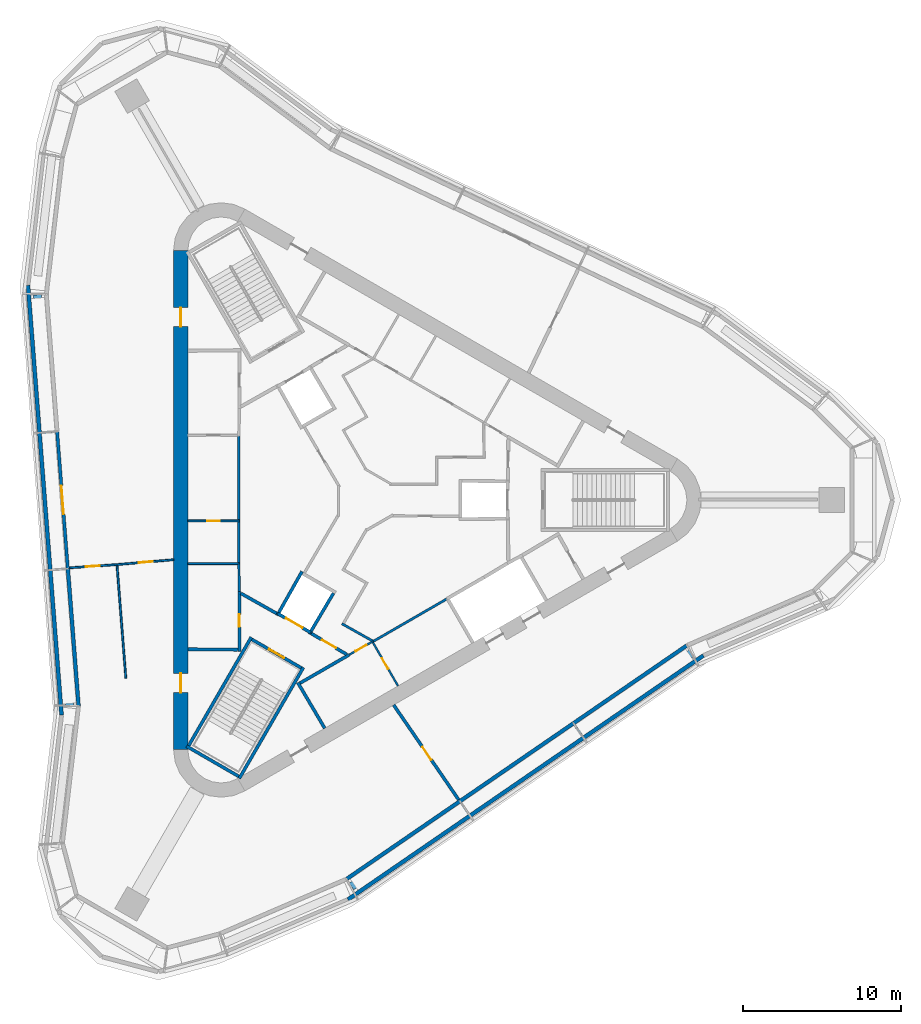
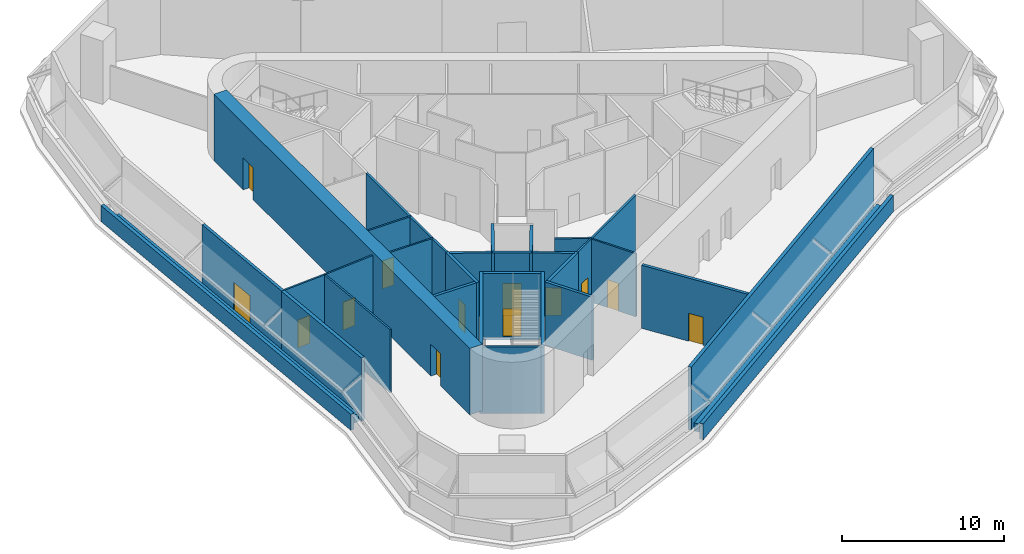
# One storey, part 4 of 8: 33 walls, 13 doors, 13 openings.
"""IFC4 building model written with IfcOpenShell, lengths in metres."""

from ifc_helpers import new_model, si_unit, direction, frame, frame_2d, origin, place, context, subcontext, project, spatial, rectangle, extrude, material, layer, layer_set, type_object, element, fill, save


model = new_model("IFC4")

# Units and contexts
model_context = context("Model", 3, precision=1e-05, world=origin(), true_north=direction((0.0, 1.0)))
body_context = subcontext(model_context, "Body", "Model", "MODEL_VIEW")
ifc_project = project(units=[si_unit("LENGTHUNIT", "METRE"), si_unit("AREAUNIT", "SQUARE_METRE"), si_unit("VOLUMEUNIT", "CUBIC_METRE"), si_unit("PLANEANGLEUNIT", "RADIAN"), si_unit("MASSUNIT", "GRAM", prefix="KILO")], contexts=[model_context])

# Site, building, storey
site_placement = place(None, origin())
site = spatial("IfcSite", under=ifc_project, at=site_placement, CompositionType="ELEMENT")
building_placement = place(site_placement, origin())
building = spatial("IfcBuilding", under=site, at=building_placement, Name="Tanit Gate Tower", CompositionType="ELEMENT")
storey_placement = place(building_placement, frame((0.0, 0.0, 410.300048828125)))
storey = spatial("IfcBuildingStorey", under=building, at=storey_placement, Name="L93", CompositionType="ELEMENT", Elevation=410.300048828125)

# Wall, openings, doors
ifc_material_1 = material(Name="Concrete C40/50", Category="concrete")
ifc_layer_1 = layer(ifc_material_1, 0.89990234375)
ifc_layer_set_1 = layer_set([ifc_layer_1], Name="CORE WALL 900 C40/50")
wall_type_1 = type_object("IfcWallType", Name="CORE WALL 900 C40/50", PredefinedType="SHEAR", material=ifc_layer_set_1)
wall_1_placement = place(storey_placement, frame((-11.64990234375, 15.76171875, 0.0), z_axis=(0.0, 0.0, 1.0), x_axis=(0.0, -1.0, 0.0)))
wall_1 = element("IfcWall", 1, at=wall_1_placement, inside=storey, type_object=wall_type_1, Name="CORE WALL", PredefinedType="SHEAR", context=body_context, shape_type="SweptSolid", body=[
    extrude(rectangle(XDim=31.5234375, YDim=0.89990234375, at=frame_2d((15.76171875, 0.0))), origin(), (0.0, 0.0, 1.0), 5.0),
])
opening_1_placement = place(wall_1_placement, frame((3.61181640625, 0.0, 0.0)))
opening_1 = element("IfcOpeningElement", 2, at=opening_1_placement, cuts=wall_1, Name="Opening F12-93-FL2", PredefinedType="OPENING", context=body_context, shape_type="SweptSolid", body=[
    extrude(rectangle(XDim=1.199951171875, YDim=2.39990234375, at=frame_2d((0.60009765625, 1.199951171875))), frame((0.0, 0.4599609375, 0.0), z_axis=(0.0, -1.0, 0.0), x_axis=(1.0, 0.0, 0.0)), (0.0, 0.0, 1.0), 0.919921875),
])
opening_2_placement = place(wall_1_placement, frame((26.711669921875, 0.0, 0.0)))
opening_2 = element("IfcOpeningElement", 3, at=opening_2_placement, cuts=wall_1, Name="Opening F12-93-S3", PredefinedType="OPENING", context=body_context, shape_type="SweptSolid", body=[
    extrude(rectangle(XDim=1.199951171875, YDim=2.39990234375, at=frame_2d((0.60009765625, 1.199951171875))), frame((0.0, 0.4599609375, 0.0), z_axis=(0.0, -1.0, 0.0), x_axis=(1.0, 0.0, 0.0)), (0.0, 0.0, 1.0), 0.919921875),
])
ifc_material_2 = material(Name="Fire-rated steel door leaf", Category="steel")
door_type_1 = type_object("IfcDoorType", Name="INT-DOOR-FIRE-LOBBY-1200", OperationType="NOTDEFINED", PredefinedType="USERDEFINED", material=ifc_material_2)
door_1_placement = place(opening_1_placement, origin())
door_1 = element("IfcDoor", 4, at=door_1_placement, inside=storey, type_object=door_type_1, Name="Door F12-93-FL2", ObjectType="FIRE DOOR", OperationType="SINGLE_SWING_RIGHT", OverallHeight=2.39990234375, OverallWidth=1.199951171875, PredefinedType="USERDEFINED", context=body_context, shape_type="SweptSolid", body=[
    extrude(rectangle(XDim=1.199951171875, YDim=2.39990234375, at=frame_2d((0.60009765625, 1.199951171875))), frame((0.0, 0.02490234375, 0.0), z_axis=(0.0, -1.0, 0.0), x_axis=(1.0, 0.0, 0.0)), (0.0, 0.0, 1.0), 0.050048828125),
])
fill(opening_1, door_1)
door_2_placement = place(opening_2_placement, origin())
door_2 = element("IfcDoor", 5, at=door_2_placement, inside=storey, type_object=door_type_1, Name="Door F12-93-S3", ObjectType="FIRE DOOR", OperationType="SINGLE_SWING_RIGHT", OverallHeight=2.39990234375, OverallWidth=1.199951171875, PredefinedType="USERDEFINED", context=body_context, shape_type="SweptSolid", body=[
    extrude(rectangle(XDim=1.199951171875, YDim=2.39990234375, at=frame_2d((0.60009765625, 1.199951171875))), frame((0.0, 0.02490234375, 0.0), z_axis=(0.0, -1.0, 0.0), x_axis=(1.0, 0.0, 0.0)), (0.0, 0.0, 1.0), 0.050048828125),
])
fill(opening_2, door_2)

# Wall, opening, door
ifc_material_3 = material(Name="Concrete C30/37 rendered", Category="concrete")
ifc_layer_2 = layer(ifc_material_3, 0.199951171875)
ifc_layer_set_2 = layer_set([ifc_layer_2], Name="Facade wall 200 rendered")
wall_type_2 = type_object("IfcWallType", Name="Facade wall 200 rendered", PredefinedType="SOLIDWALL", material=ifc_layer_set_2)
wall_2_placement = place(storey_placement, frame((-19.450439453125, 4.315185546875, 0.0), z_axis=(0.0, 0.0, 1.0), x_axis=(0.077825943087, -0.99696696163, 0.0)))
wall_2 = element("IfcWall", 6, at=wall_2_placement, inside=storey, type_object=wall_type_2, Name="Facade wall L93 W2.2", PredefinedType="SOLIDWALL", context=body_context, shape_type="SweptSolid", body=[
    extrude(rectangle(XDim=8.661376953125, YDim=0.199951171875, at=frame_2d((4.33056640625, 0.0))), origin(), (0.0, 0.0, 1.0), 4.75),
])
opening_3_placement = place(wall_2_placement, frame((3.4306640625, 0.0, 0.0)))
opening_3 = element("IfcOpeningElement", 7, at=opening_3_placement, cuts=wall_2, Name="Opening D2", PredefinedType="OPENING", context=body_context, shape_type="SweptSolid", body=[
    extrude(rectangle(XDim=1.800048828125, YDim=2.39990234375, at=frame_2d((0.89990234375, 1.199951171875))), frame((0.0, 0.10986328125, 0.0), z_axis=(0.0, -1.0, 0.0), x_axis=(1.0, 0.0, 0.0)), (0.0, 0.0, 1.0), 0.219970703125),
])
ifc_material_4 = material(Name="Aluminium bronze anodised and glass", Category="aluminium")
door_type_2 = type_object("IfcDoorType", Name="Terrace door double 1800x2400", OperationType="DOUBLE_DOOR_SINGLE_SWING", PredefinedType="DOOR", material=ifc_material_4)
door_3_placement = place(opening_3_placement, frame((1.800048828125, 0.0, 0.0), z_axis=(0.0, 0.0, 1.0), x_axis=(-1.0, 0.0, 0.0)))
door_3 = element("IfcDoor", 8, at=door_3_placement, inside=storey, type_object=door_type_2, Name="Terrace door", OperationType="SINGLE_SWING_RIGHT", OverallHeight=2.39990234375, OverallWidth=1.800048828125, PredefinedType="DOOR", context=body_context, shape_type="SweptSolid", body=[
    extrude(rectangle(XDim=1.800048828125, YDim=2.39990234375, at=frame_2d((0.89990234375, 1.199951171875))), frame((0.0, 0.02490234375, 0.0), z_axis=(0.0, -1.0, 0.0), x_axis=(1.0, 0.0, 0.0)), (0.0, 0.0, 1.0), 0.050048828125),
])
fill(opening_3, door_3)

# Walls
ifc_material_5 = material(Name="Concrete C30/37 with bronze anodised aluminium cladding", Category="concrete")
ifc_layer_3 = layer(ifc_material_5, 0.239990234375)
ifc_layer_set_3 = layer_set([ifc_layer_3], Name="Facade wall bronze clad 240")
wall_type_3 = type_object("IfcWallType", Name="Facade wall bronze clad 240", PredefinedType="SOLIDWALL", material=ifc_layer_set_3)
wall_3_placement = place(storey_placement, frame((-18.7763671875, -4.31982421875, 0.0), z_axis=(0.0, 0.0, 1.0), x_axis=(0.077831456886, -0.996966531193, 0.0)))
element("IfcWall", 9, at=wall_3_placement, inside=storey, type_object=wall_type_3, Name="Bronze-clad facade wall L93 W2b", PredefinedType="SOLIDWALL", context=body_context, shape_type="SweptSolid", body=[
    extrude(rectangle(XDim=8.701416015625, YDim=0.239990234375, at=frame_2d((4.3505859375, 0.0))), origin(), (0.0, 0.0, 1.0), 4.75),
])
wall_4_placement = place(storey_placement, frame((-1.18603515625, -23.92626953125, 0.0), z_axis=(0.0, 0.0, 1.0), x_axis=(0.824480875731, 0.565889817503, 0.0)))
element("IfcWall", 10, at=wall_4_placement, inside=storey, type_object=wall_type_3, Name="Bronze-clad facade wall L93 SE2", PredefinedType="SOLIDWALL", context=body_context, shape_type="SweptSolid", body=[
    extrude(rectangle(XDim=26.064208984375, YDim=0.239990234375, at=frame_2d((13.0322265625, 0.0))), origin(), (0.0, 0.0, 1.0), 4.75),
])

# Wall, opening, door
ifc_material_6 = material(Name="Fire-rated gypsum board partition")
ifc_layer_4 = layer(ifc_material_6, 0.199951171875)
ifc_layer_set_4 = layer_set([ifc_layer_4], Name="INT-WALL-COMPARTMENT")
wall_type_4 = type_object("IfcWallType", Name="INT-WALL-COMPARTMENT", PredefinedType="PARTITIONING", material=ifc_layer_set_4)
wall_5_placement = place(storey_placement, frame((-7.949951171875, -9.550048828125, 0.0), z_axis=(0.0, 0.0, 1.0), x_axis=(0.0, 1.0, 0.0)))
wall_5 = element("IfcWall", 11, at=wall_5_placement, inside=storey, type_object=wall_type_4, Name="Wall Compartment W041", PredefinedType="PARTITIONING", context=body_context, shape_type="SweptSolid", body=[
    extrude(rectangle(XDim=3.777587890625, YDim=0.199951171875, at=frame_2d((1.888671875, 0.0))), origin(), (0.0, 0.0, 1.0), 4.75),
])
opening_4_placement = place(wall_5_placement, frame((1.538818359375, 0.0, 0.0)))
opening_4 = element("IfcOpeningElement", 12, at=opening_4_placement, cuts=wall_5, Name="Opening R08-93-16", PredefinedType="OPENING", context=body_context, shape_type="SweptSolid", body=[
    extrude(rectangle(XDim=0.800048828125, YDim=2.10009765625, at=frame_2d((0.39990234375, 1.050048828125))), frame((0.0, 0.10986328125, 0.0), z_axis=(0.0, -1.0, 0.0), x_axis=(1.0, 0.0, 0.0)), (0.0, 0.0, 1.0), 0.219970703125),
])
ifc_material_7 = material(Name="Timber door leaf", Category="wood")
door_type_3 = type_object("IfcDoorType", Name="INT-DOOR-RISER-800", OperationType="NOTDEFINED", PredefinedType="USERDEFINED", material=ifc_material_7)
door_4_placement = place(opening_4_placement, origin())
door_4 = element("IfcDoor", 13, at=door_4_placement, inside=storey, type_object=door_type_3, Name="Door R08-93-16", ObjectType="FIRE DOOR", OperationType="SINGLE_SWING_LEFT", OverallHeight=2.10009765625, OverallWidth=0.800048828125, PredefinedType="USERDEFINED", context=body_context, shape_type="SweptSolid", body=[
    extrude(rectangle(XDim=0.800048828125, YDim=2.10009765625, at=frame_2d((0.39990234375, 1.050048828125))), frame((0.0, 0.02490234375, 0.0), z_axis=(0.0, -1.0, 0.0), x_axis=(1.0, 0.0, 0.0)), (0.0, 0.0, 1.0), 0.050048828125),
])
fill(opening_4, door_4)

# Walls
wall_6_placement = place(storey_placement, frame((-11.199951171875, -9.419921875, 0.0), z_axis=(0.0, 0.0, 1.0), x_axis=(0.999957467379, -0.009222983926, 0.0)))
element("IfcWall", 14, at=wall_6_placement, inside=storey, type_object=wall_type_4, Name="Wall Compartment W042", PredefinedType="PARTITIONING", context=body_context, shape_type="SweptSolid", body=[
    extrude(rectangle(XDim=3.150146484375, YDim=0.199951171875, at=frame_2d((1.5751953125, 0.0))), origin(), (0.0, 0.0, 1.0), 4.75),
])
wall_7_placement = place(storey_placement, frame((-4.259765625, -11.523681640625, 0.0), z_axis=(0.0, 0.0, 1.0), x_axis=(0.507997497166, -0.861358544901, 0.0)))
element("IfcWall", 15, at=wall_7_placement, inside=storey, type_object=wall_type_4, Name="Wall Compartment W056", PredefinedType="PARTITIONING", context=body_context, shape_type="SweptSolid", body=[
    extrude(rectangle(XDim=3.350341796875, YDim=0.199951171875, at=frame_2d((1.67529296875, 0.0))), origin(), (0.0, 0.0, 1.0), 4.75),
])
wall_8_placement = place(storey_placement, frame((-1.02392578125, -9.77099609375, 0.0), z_axis=(0.0, 0.0, 1.0), x_axis=(-0.866029903013, -0.499992207027, 0.0)))
element("IfcWall", 16, at=wall_8_placement, inside=storey, type_object=wall_type_4, Name="Wall Compartment W057", PredefinedType="PARTITIONING", context=body_context, shape_type="SweptSolid", body=[
    extrude(rectangle(XDim=3.57763671875, YDim=0.199951171875, at=frame_2d((1.788818359375, 0.0))), origin(), (0.0, 0.0, 1.0), 4.75),
])
wall_9_placement = place(storey_placement, frame((-7.85009765625, -5.893310546875, 0.0), z_axis=(0.0, 0.0, 1.0), x_axis=(0.871350695252, -0.490660744185, 0.0)))
element("IfcWall", 17, at=wall_9_placement, inside=storey, type_object=wall_type_4, Name="Wall Compartment W066", PredefinedType="PARTITIONING", context=body_context, shape_type="SweptSolid", body=[
    extrude(rectangle(XDim=2.58203125, YDim=0.199951171875, at=frame_2d((1.291015625, 0.0))), origin(), (0.0, 0.0, 1.0), 4.75),
])

# Wall, opening, door
wall_10_placement = place(storey_placement, frame((-3.400634765625, -8.43017578125, 0.0), z_axis=(0.0, 0.0, 1.0), x_axis=(0.860630814782, -0.509229418482, 0.0)))
wall_10 = element("IfcWall", 18, at=wall_10_placement, inside=storey, type_object=wall_type_4, Name="Wall Compartment W067", PredefinedType="PARTITIONING", context=body_context, shape_type="SweptSolid", body=[
    extrude(rectangle(XDim=2.581787109375, YDim=0.199951171875, at=frame_2d((1.291015625, 0.0))), origin(), (0.0, 0.0, 1.0), 4.75),
])
opening_5_placement = place(wall_10_placement, frame((0.791015625, 0.0, 0.0)))
opening_5 = element("IfcOpeningElement", 19, at=opening_5_placement, cuts=wall_10, Name="Opening F10-93-08", PredefinedType="OPENING", context=body_context, shape_type="SweptSolid", body=[
    extrude(rectangle(XDim=1.0, YDim=2.10009765625, at=frame_2d((0.5, 1.050048828125))), frame((0.0, 0.10986328125, 0.0), z_axis=(0.0, -1.0, 0.0), x_axis=(1.0, 0.0, 0.0)), (0.0, 0.0, 1.0), 0.219970703125),
])
ifc_material_8 = material(Name="Fire-rated steel door leaf", Category="steel")
door_type_4 = type_object("IfcDoorType", Name="INT-DOOR-FIRE-1000", OperationType="NOTDEFINED", PredefinedType="USERDEFINED", material=ifc_material_8)
door_5_placement = place(opening_5_placement, origin())
door_5 = element("IfcDoor", 20, at=door_5_placement, inside=storey, type_object=door_type_4, Name="Door F10-93-08", ObjectType="FIRE DOOR", OperationType="SINGLE_SWING_RIGHT", OverallHeight=2.10009765625, OverallWidth=1.0, PredefinedType="USERDEFINED", context=body_context, shape_type="SweptSolid", body=[
    extrude(rectangle(XDim=1.0, YDim=2.10009765625, at=frame_2d((0.5, 1.050048828125))), frame((0.0, 0.02490234375, 0.0), z_axis=(0.0, -1.0, 0.0), x_axis=(1.0, 0.0, 0.0)), (0.0, 0.0, 1.0), 0.050048828125),
])
fill(opening_5, door_5)

wall_11_placement = place(storey_placement, frame((1.7900390625, -12.9384765625, 0.0), z_axis=(0.0, 0.0, 1.0), x_axis=(0.565855513997, -0.824504419199, 0.0)))
wall_11 = element("IfcWall", 21, at=wall_11_placement, inside=storey, type_object=wall_type_4, Name="Wall Compartment W094", PredefinedType="PARTITIONING", context=body_context, shape_type="SweptSolid", body=[
    extrude(rectangle(XDim=7.250244140625, YDim=0.199951171875, at=frame_2d((3.625, 0.0))), origin(), (0.0, 0.0, 1.0), 4.75),
])
opening_6_placement = place(wall_11_placement, frame((3.199951171875, 0.0, 0.0)))
opening_6 = element("IfcOpeningElement", 22, at=opening_6_placement, cuts=wall_11, Name="Opening F10-93-25", PredefinedType="OPENING", context=body_context, shape_type="SweptSolid", body=[
    extrude(rectangle(XDim=1.0, YDim=2.10009765625, at=frame_2d((0.5, 1.050048828125))), frame((0.0, 0.10986328125, 0.0), z_axis=(0.0, -1.0, 0.0), x_axis=(1.0, 0.0, 0.0)), (0.0, 0.0, 1.0), 0.219970703125),
])
door_6_placement = place(opening_6_placement, origin())
door_6 = element("IfcDoor", 23, at=door_6_placement, inside=storey, type_object=door_type_4, Name="Door F10-93-25", ObjectType="FIRE DOOR", OperationType="SINGLE_SWING_RIGHT", OverallHeight=2.10009765625, OverallWidth=1.0, PredefinedType="USERDEFINED", context=body_context, shape_type="SweptSolid", body=[
    extrude(rectangle(XDim=1.0, YDim=2.10009765625, at=frame_2d((0.5, 1.050048828125))), frame((0.0, 0.02490234375, 0.0), z_axis=(0.0, -1.0, 0.0), x_axis=(1.0, 0.0, 0.0)), (0.0, 0.0, 1.0), 0.050048828125),
])
fill(opening_6, door_6)

ifc_material_9 = material(Name="Gypsum board partition")
ifc_layer_5 = layer(ifc_material_9, 0.1201171875)
ifc_layer_set_5 = layer_set([ifc_layer_5], Name="INT-WALL-PARTITION")
wall_type_5 = type_object("IfcWallType", Name="INT-WALL-PARTITION", PredefinedType="PARTITIONING", material=ifc_layer_set_5)
wall_12_placement = place(storey_placement, frame((-11.199951171875, -1.320068359375, 0.0), z_axis=(0.0, 0.0, 1.0), x_axis=(1.0, 0.0, 0.0)))
wall_12 = element("IfcWall", 24, at=wall_12_placement, inside=storey, type_object=wall_type_5, Name="Wall Partition W037", PredefinedType="PARTITIONING", context=body_context, shape_type="SweptSolid", body=[
    extrude(rectangle(XDim=3.25, YDim=0.1201171875, at=frame_2d((1.625, 0.0))), origin(), (0.0, 0.0, 1.0), 4.75),
])
opening_7_placement = place(wall_12_placement, frame((1.22509765625, 0.0, 0.0)))
opening_7 = element("IfcOpeningElement", 25, at=opening_7_placement, cuts=wall_12, Name="Opening R08-93-15", PredefinedType="OPENING", context=body_context, shape_type="SweptSolid", body=[
    extrude(rectangle(XDim=0.800048828125, YDim=2.10009765625, at=frame_2d((0.39990234375, 1.050048828125))), frame((0.0, 0.070068359375, 0.0), z_axis=(0.0, -1.0, 0.0), x_axis=(1.0, 0.0, 0.0)), (0.0, 0.0, 1.0), 0.14013671875),
])
door_7_placement = place(opening_7_placement, origin())
door_7 = element("IfcDoor", 26, at=door_7_placement, inside=storey, type_object=door_type_3, Name="Door R08-93-15", ObjectType="FIRE DOOR", OperationType="SINGLE_SWING_RIGHT", OverallHeight=2.10009765625, OverallWidth=0.800048828125, PredefinedType="USERDEFINED", context=body_context, shape_type="SweptSolid", body=[
    extrude(rectangle(XDim=0.800048828125, YDim=2.10009765625, at=frame_2d((0.39990234375, 1.050048828125))), frame((0.0, 0.02490234375, 0.0), z_axis=(0.0, -1.0, 0.0), x_axis=(1.0, 0.0, 0.0)), (0.0, 0.0, 1.0), 0.050048828125),
])
fill(opening_7, door_7)

# Wall
wall_13_placement = place(storey_placement, frame((-7.949951171875, -4.02001953125, 0.0), z_axis=(0.0, 0.0, 1.0), x_axis=(-1.0, 0.0, 0.0)))
element("IfcWall", 27, at=wall_13_placement, inside=storey, type_object=wall_type_5, Name="Wall Partition W039", PredefinedType="PARTITIONING", context=body_context, shape_type="SweptSolid", body=[
    extrude(rectangle(XDim=3.25, YDim=0.1201171875, at=frame_2d((1.625, 0.0))), origin(), (0.0, 0.0, 1.0), 4.75),
])

# Wall, opening, door
wall_14_placement = place(storey_placement, frame((2.066650390625, -11.739501953125, 0.0), z_axis=(0.0, 0.0, 1.0), x_axis=(-0.499984717929, 0.866034226713, 0.0)))
wall_14 = element("IfcWall", 28, at=wall_14_placement, inside=storey, type_object=wall_type_5, Name="Wall Partition W055", PredefinedType="PARTITIONING", context=body_context, shape_type="SweptSolid", body=[
    extrude(rectangle(XDim=3.25, YDim=0.1201171875, at=frame_2d((1.625, 0.0))), origin(), (0.0, 0.0, 1.0), 4.75),
])
opening_8_placement = place(wall_14_placement, frame((1.22509765625, 0.0, 0.0)))
opening_8 = element("IfcOpeningElement", 29, at=opening_8_placement, cuts=wall_14, Name="Opening R08-93-22", PredefinedType="OPENING", context=body_context, shape_type="SweptSolid", body=[
    extrude(rectangle(XDim=0.800048828125, YDim=2.10009765625, at=frame_2d((0.39990234375, 1.050048828125))), frame((0.0, 0.070068359375, 0.0), z_axis=(0.0, -1.0, 0.0), x_axis=(1.0, 0.0, 0.0)), (0.0, 0.0, 1.0), 0.14013671875),
])
door_8_placement = place(opening_8_placement, origin())
door_8 = element("IfcDoor", 30, at=door_8_placement, inside=storey, type_object=door_type_3, Name="Door R08-93-22", ObjectType="FIRE DOOR", OperationType="SINGLE_SWING_LEFT", OverallHeight=2.10009765625, OverallWidth=0.800048828125, PredefinedType="USERDEFINED", context=body_context, shape_type="SweptSolid", body=[
    extrude(rectangle(XDim=0.800048828125, YDim=2.10009765625, at=frame_2d((0.39990234375, 1.050048828125))), frame((0.0, 0.02490234375, 0.0), z_axis=(0.0, -1.0, 0.0), x_axis=(1.0, 0.0, 0.0)), (0.0, 0.0, 1.0), 0.050048828125),
])
fill(opening_8, door_8)

wall_15_placement = place(storey_placement, frame((0.478271484375, -8.928466796875, 0.0), z_axis=(0.0, 0.0, 1.0), x_axis=(-0.871968924608, -0.489561226527, 0.0)))
wall_15 = element("IfcWall", 31, at=wall_15_placement, inside=storey, type_object=wall_type_5, Name="Wall Partition W058", PredefinedType="PARTITIONING", context=body_context, shape_type="SweptSolid", body=[
    extrude(rectangle(XDim=1.722412109375, YDim=0.1201171875, at=frame_2d((0.861328125, 0.0))), origin(), (0.0, 0.0, 1.0), 4.75),
])
opening_9_placement = place(wall_15_placement, frame((0.461181640625, 0.0, 0.0)))
opening_9 = element("IfcOpeningElement", 32, at=opening_9_placement, cuts=wall_15, Name="Opening R08-93-21", PredefinedType="OPENING", context=body_context, shape_type="SweptSolid", body=[
    extrude(rectangle(XDim=0.800048828125, YDim=2.10009765625, at=frame_2d((0.39990234375, 1.050048828125))), frame((0.0, 0.070068359375, 0.0), z_axis=(0.0, -1.0, 0.0), x_axis=(1.0, 0.0, 0.0)), (0.0, 0.0, 1.0), 0.14013671875),
])
door_9_placement = place(opening_9_placement, origin())
door_9 = element("IfcDoor", 33, at=door_9_placement, inside=storey, type_object=door_type_3, Name="Door R08-93-21", ObjectType="FIRE DOOR", OperationType="SINGLE_SWING_RIGHT", OverallHeight=2.10009765625, OverallWidth=0.800048828125, PredefinedType="USERDEFINED", context=body_context, shape_type="SweptSolid", body=[
    extrude(rectangle(XDim=0.800048828125, YDim=2.10009765625, at=frame_2d((0.39990234375, 1.050048828125))), frame((0.0, 0.02490234375, 0.0), z_axis=(0.0, -1.0, 0.0), x_axis=(1.0, 0.0, 0.0)), (0.0, 0.0, 1.0), 0.050048828125),
])
fill(opening_9, door_9)

wall_16_placement = place(storey_placement, frame((-15.673583984375, -4.0771484375, 0.0), z_axis=(0.0, 0.0, 1.0), x_axis=(0.996292004275, 0.086036284307, 0.0)))
wall_16 = element("IfcWall", 34, at=wall_16_placement, inside=storey, type_object=wall_type_5, Name="Wall Partition W086", PredefinedType="PARTITIONING", context=body_context, shape_type="SweptSolid", body=[
    extrude(rectangle(XDim=3.586669921875, YDim=0.1201171875, at=frame_2d((1.79345703125, 0.0))), origin(), (0.0, 0.0, 1.0), 4.75),
])
opening_10_placement = place(wall_16_placement, frame((1.36962890625, 0.0, 0.0)))
opening_10 = element("IfcOpeningElement", 35, at=opening_10_placement, cuts=wall_16, Name="Opening D09-93-26", PredefinedType="OPENING", context=body_context, shape_type="SweptSolid", body=[
    extrude(rectangle(XDim=0.89990234375, YDim=2.10009765625, at=frame_2d((0.449951171875, 1.050048828125))), frame((0.0, 0.070068359375, 0.0), z_axis=(0.0, -1.0, 0.0), x_axis=(1.0, 0.0, 0.0)), (0.0, 0.0, 1.0), 0.14013671875),
])
ifc_material_10 = material(Name="Timber door leaf", Category="wood")
door_type_5 = type_object("IfcDoorType", Name="INT-DOOR-SINGLE-900", OperationType="NOTDEFINED", PredefinedType="NOTDEFINED", material=ifc_material_10)
door_10_placement = place(opening_10_placement, origin())
door_10 = element("IfcDoor", 36, at=door_10_placement, inside=storey, type_object=door_type_5, Name="Door D09-93-26", OperationType="SINGLE_SWING_LEFT", OverallHeight=2.10009765625, OverallWidth=0.89990234375, PredefinedType="NOTDEFINED", context=body_context, shape_type="SweptSolid", body=[
    extrude(rectangle(XDim=0.89990234375, YDim=2.10009765625, at=frame_2d((0.449951171875, 1.050048828125))), frame((0.0, 0.02490234375, 0.0), z_axis=(0.0, -1.0, 0.0), x_axis=(1.0, 0.0, 0.0)), (0.0, 0.0, 1.0), 0.050048828125),
])
fill(opening_10, door_10)

wall_17_placement = place(storey_placement, frame((-18.654052734375, -4.2802734375, 0.0), z_axis=(0.0, 0.0, 1.0), x_axis=(0.997696783742, 0.067831612918, 0.0)))
wall_17 = element("IfcWall", 37, at=wall_17_placement, inside=storey, type_object=wall_type_5, Name="Wall Partition W087", PredefinedType="PARTITIONING", context=body_context, shape_type="SweptSolid", body=[
    extrude(rectangle(XDim=2.9873046875, YDim=0.1201171875, at=frame_2d((1.49365234375, 0.0))), origin(), (0.0, 0.0, 1.0), 4.75),
])
opening_11_placement = place(wall_17_placement, frame((1.00048828125, 0.0, 0.0)))
opening_11 = element("IfcOpeningElement", 38, at=opening_11_placement, cuts=wall_17, Name="Opening D09-93-27", PredefinedType="OPENING", context=body_context, shape_type="SweptSolid", body=[
    extrude(rectangle(XDim=0.89990234375, YDim=2.10009765625, at=frame_2d((0.449951171875, 1.050048828125))), frame((0.0, 0.070068359375, 0.0), z_axis=(0.0, -1.0, 0.0), x_axis=(1.0, 0.0, 0.0)), (0.0, 0.0, 1.0), 0.14013671875),
])
door_11_placement = place(opening_11_placement, origin())
door_11 = element("IfcDoor", 39, at=door_11_placement, inside=storey, type_object=door_type_5, Name="Door D09-93-27", OperationType="SINGLE_SWING_LEFT", OverallHeight=2.10009765625, OverallWidth=0.89990234375, PredefinedType="NOTDEFINED", context=body_context, shape_type="SweptSolid", body=[
    extrude(rectangle(XDim=0.89990234375, YDim=2.10009765625, at=frame_2d((0.449951171875, 1.050048828125))), frame((0.0, 0.02490234375, 0.0), z_axis=(0.0, -1.0, 0.0), x_axis=(1.0, 0.0, 0.0)), (0.0, 0.0, 1.0), 0.050048828125),
])
fill(opening_11, door_11)

# Walls
wall_18_placement = place(storey_placement, frame((-15.6689453125, -4.137451171875, 0.0), z_axis=(0.0, 0.0, 1.0), x_axis=(0.077857398884, -0.996964505606, 0.0)))
element("IfcWall", 40, at=wall_18_placement, inside=storey, type_object=wall_type_5, Name="Wall Partition W090", PredefinedType="PARTITIONING", context=body_context, shape_type="SweptSolid", body=[
    extrude(rectangle(XDim=7.14013671875, YDim=0.1201171875, at=frame_2d((3.570068359375, 0.0))), origin(), (0.0, 0.0, 1.0), 4.75),
])
ifc_material_11 = material(Name="Fire-rated gypsum board partition")
ifc_layer_6 = layer(ifc_material_11, 0.14990234375)
ifc_layer_set_6 = layer_set([ifc_layer_6], Name="INT-WALL-RISER")
wall_type_6 = type_object("IfcWallType", Name="INT-WALL-RISER", PredefinedType="PLUMBINGWALL", material=ifc_layer_set_6)
wall_19_placement = place(storey_placement, frame((-7.97998046875, 4.050048828125, 0.0), z_axis=(0.0, 0.0, 1.0), x_axis=(0.0, -1.0, 0.0)))
element("IfcWall", 41, at=wall_19_placement, inside=storey, type_object=wall_type_6, Name="Wall Riser W038", PredefinedType="PLUMBINGWALL", context=body_context, shape_type="SweptSolid", body=[
    extrude(rectangle(XDim=8.10009765625, YDim=0.14990234375, at=frame_2d((4.050048828125, 0.0))), origin(), (0.0, 0.0, 1.0), 4.75),
])
wall_20_placement = place(storey_placement, frame((-7.97998046875, -4.050048828125, 0.0), z_axis=(0.0, 0.0, 1.0), x_axis=(0.016723387416, -0.999860154378, 0.0)))
element("IfcWall", 42, at=wall_20_placement, inside=storey, type_object=wall_type_6, Name="Wall Riser W043", PredefinedType="PLUMBINGWALL", context=body_context, shape_type="SweptSolid", body=[
    extrude(rectangle(XDim=1.72265625, YDim=0.14990234375, at=frame_2d((0.861328125, 0.0))), origin(), (0.0, 0.0, 1.0), 4.75),
])
wall_21_placement = place(storey_placement, frame((0.482666015625, -8.935791015625, 0.0), z_axis=(0.0, 0.0, 1.0), x_axis=(0.866028230842, 0.499995103361, 0.0)))
element("IfcWall", 43, at=wall_21_placement, inside=storey, type_object=wall_type_6, Name="Wall Riser W059", PredefinedType="PLUMBINGWALL", context=body_context, shape_type="SweptSolid", body=[
    extrude(rectangle(XDim=5.39990234375, YDim=0.14990234375, at=frame_2d((2.699951171875, 0.0))), origin(), (0.0, 0.0, 1.0), 4.75),
])
wall_22_placement = place(storey_placement, frame((-1.47705078125, -7.808349609375, 0.0), z_axis=(0.0, 0.0, 1.0), x_axis=(0.871822901869, -0.48982122022, 0.0)))
element("IfcWall", 44, at=wall_22_placement, inside=storey, type_object=wall_type_6, Name="Wall Riser W071", PredefinedType="PLUMBINGWALL", context=body_context, shape_type="SweptSolid", body=[
    extrude(rectangle(XDim=2.239501953125, YDim=0.14990234375, at=frame_2d((1.11962890625, 0.0))), origin(), (0.0, 0.0, 1.0), 4.75),
])

# Wall, opening, door
ifc_material_12 = material(Name="Gypsum shaft wall system")
ifc_layer_7 = layer(ifc_material_12, 0.199951171875)
ifc_layer_set_7 = layer_set([ifc_layer_7], Name="INT-WALL-SHAFT")
wall_type_7 = type_object("IfcWallType", Name="INT-WALL-SHAFT", PredefinedType="PLUMBINGWALL", material=ifc_layer_set_7)
wall_23_placement = place(storey_placement, frame((-3.44580078125, -8.3681640625, 0.0), z_axis=(0.0, 0.0, 1.0), x_axis=(-0.866024647952, 0.500001309137, 0.0)))
wall_23 = element("IfcWall", 45, at=wall_23_placement, inside=storey, type_object=wall_type_7, Name="Wall Shaft W028", PredefinedType="PLUMBINGWALL", context=body_context, shape_type="SweptSolid", body=[
    extrude(rectangle(XDim=2.39990234375, YDim=0.199951171875, at=frame_2d((1.199951171875, 0.0))), origin(), (0.0, 0.0, 1.0), 4.75),
])
opening_12_placement = place(wall_23_placement, frame((0.60009765625, 0.0, 0.0)))
opening_12 = element("IfcOpeningElement", 46, at=opening_12_placement, cuts=wall_23, Name="Opening LDFL3-L93", PredefinedType="OPENING", context=body_context, shape_type="SweptSolid", body=[
    extrude(rectangle(XDim=1.199951171875, YDim=2.39990234375, at=frame_2d((0.60009765625, 1.199951171875))), frame((0.0, 0.10986328125, 0.0), z_axis=(0.0, -1.0, 0.0), x_axis=(1.0, 0.0, 0.0)), (0.0, 0.0, 1.0), 0.219970703125),
])
ifc_material_13 = material(Name="Stainless steel sliding door leaf", Category="steel")
door_type_6 = type_object("IfcDoorType", Name="INT-DOOR-LANDING-1200", OperationType="NOTDEFINED", PredefinedType="USERDEFINED", material=ifc_material_13)
door_12_placement = place(opening_12_placement, origin())
door_12 = element("IfcDoor", 47, at=door_12_placement, inside=storey, type_object=door_type_6, Name="Door LDFL3-L93", ObjectType="LANDING DOOR", OperationType="SLIDING_TO_LEFT", OverallHeight=2.39990234375, OverallWidth=1.199951171875, PredefinedType="USERDEFINED", context=body_context, shape_type="SweptSolid", body=[
    extrude(rectangle(XDim=1.199951171875, YDim=2.39990234375, at=frame_2d((0.60009765625, 1.199951171875))), frame((0.0, 0.02490234375, 0.0), z_axis=(0.0, -1.0, 0.0), x_axis=(1.0, 0.0, 0.0)), (0.0, 0.0, 1.0), 0.050048828125),
])
fill(opening_12, door_12)

# Walls
wall_24_placement = place(storey_placement, frame((-5.5625, -7.29638671875, 0.0), z_axis=(0.0, 0.0, 1.0), x_axis=(0.491358283181, 0.870957540612, 0.0)))
element("IfcWall", 48, at=wall_24_placement, inside=storey, type_object=wall_type_7, Name="Wall Shaft W029", PredefinedType="PLUMBINGWALL", context=body_context, shape_type="SweptSolid", body=[
    extrude(rectangle(XDim=3.200439453125, YDim=0.199951171875, at=frame_2d((1.60009765625, 0.0))), origin(), (0.0, 0.0, 1.0), 4.75),
])
wall_25_placement = place(storey_placement, frame((-2.01171875, -5.88232421875, 0.0), z_axis=(0.0, 0.0, 1.0), x_axis=(-0.508619639323, -0.860991325447, 0.0)))
element("IfcWall", 49, at=wall_25_placement, inside=storey, type_object=wall_type_7, Name="Wall Shaft W032", PredefinedType="PLUMBINGWALL", context=body_context, shape_type="SweptSolid", body=[
    extrude(rectangle(XDim=3.0, YDim=0.199951171875, at=frame_2d((1.5, 0.0))), origin(), (0.0, 0.0, 1.0), 4.75),
])
ifc_material_14 = material(Name="Concrete C40/50", Category="concrete")
ifc_layer_8 = layer(ifc_material_14, 0.199951171875)
ifc_layer_set_8 = layer_set([ifc_layer_8], Name="INT-WALL-STAIR")
wall_type_8 = type_object("IfcWallType", Name="INT-WALL-STAIR", PredefinedType="SHEAR", material=ifc_layer_set_8)
wall_26_placement = place(storey_placement, frame((-3.904541015625, -10.56298828125, -0.25), z_axis=(0.0, 0.0, 1.0), x_axis=(-0.500012932018, -0.866017937352, 0.0)))
element("IfcWall", 50, at=wall_26_placement, inside=storey, type_object=wall_type_8, Name="Wall Stair W024", PredefinedType="SHEAR", context=body_context, shape_type="SweptSolid", body=[
    extrude(rectangle(XDim=8.099853515625, YDim=0.199951171875, at=frame_2d((4.0498046875, 0.0))), origin(), (0.0, 0.0, 1.0), 5.0),
])
wall_27_placement = place(storey_placement, frame((-11.281982421875, -15.541015625, -0.25), z_axis=(0.0, 0.0, 1.0), x_axis=(0.866000483506, -0.500043160704, 0.0)))
element("IfcWall", 51, at=wall_27_placement, inside=storey, type_object=wall_type_8, Name="Wall Stair W025", PredefinedType="SHEAR", context=body_context, shape_type="SweptSolid", body=[
    extrude(rectangle(XDim=3.800048828125, YDim=0.199951171875, at=frame_2d((1.89990234375, 0.0))), origin(), (0.0, 0.0, 1.0), 5.0),
])
wall_28_placement = place(storey_placement, frame((-7.195556640625, -8.662841796875, -0.25), z_axis=(0.0, 0.0, 1.0), x_axis=(-0.499997992926, -0.866026562566, 0.0)))
element("IfcWall", 52, at=wall_28_placement, inside=storey, type_object=wall_type_8, Name="Wall Stair W026", PredefinedType="SHEAR", context=body_context, shape_type="SweptSolid", body=[
    extrude(rectangle(XDim=7.89990234375, YDim=0.199951171875, at=frame_2d((3.949951171875, 0.0))), origin(), (0.0, 0.0, 1.0), 5.0),
])

# Wall, opening, door
wall_29_placement = place(storey_placement, frame((-4.041259765625, -10.599365234375, -0.25), z_axis=(0.0, 0.0, 1.0), x_axis=(-0.866047807691, 0.499961193289, 0.0)))
wall_29 = element("IfcWall", 53, at=wall_29_placement, inside=storey, type_object=wall_type_8, Name="Wall Stair W027", PredefinedType="SHEAR", context=body_context, shape_type="SweptSolid", body=[
    extrude(rectangle(XDim=3.599853515625, YDim=0.199951171875, at=frame_2d((1.7998046875, 0.0))), origin(), (0.0, 0.0, 1.0), 5.0),
])
opening_13_placement = place(wall_29_placement, frame((1.25, 0.0, 0.25)))
opening_13 = element("IfcOpeningElement", 54, at=opening_13_placement, cuts=wall_29, Name="Opening S11-93-07", PredefinedType="OPENING", context=body_context, shape_type="SweptSolid", body=[
    extrude(rectangle(XDim=1.10009765625, YDim=2.10009765625, at=frame_2d((0.550048828125, 1.050048828125))), frame((0.0, 0.10986328125, 0.0), z_axis=(0.0, -1.0, 0.0), x_axis=(1.0, 0.0, 0.0)), (0.0, 0.0, 1.0), 0.219970703125),
])
ifc_material_15 = material(Name="Timber door leaf", Category="wood")
door_type_7 = type_object("IfcDoorType", Name="INT-DOOR-STAIR-1100", OperationType="NOTDEFINED", PredefinedType="USERDEFINED", material=ifc_material_15)
door_13_placement = place(opening_13_placement, origin())
door_13 = element("IfcDoor", 55, at=door_13_placement, inside=storey, type_object=door_type_7, Name="Door S11-93-07", ObjectType="FIRE DOOR", OperationType="SINGLE_SWING_LEFT", OverallHeight=2.10009765625, OverallWidth=1.10009765625, PredefinedType="USERDEFINED", context=body_context, shape_type="SweptSolid", body=[
    extrude(rectangle(XDim=1.10009765625, YDim=2.10009765625, at=frame_2d((0.550048828125, 1.050048828125))), frame((0.0, 0.02490234375, 0.0), z_axis=(0.0, -1.0, 0.0), x_axis=(1.0, 0.0, 0.0)), (0.0, 0.0, 1.0), 0.050048828125),
])
fill(opening_13, door_13)

# Walls
ifc_material_16 = material(Name="Concrete C30/37", Category="concrete")
ifc_layer_9 = layer(ifc_material_16, 0.25)
ifc_layer_set_9 = layer_set([ifc_layer_9], Name="Parapet wall 250")
wall_type_9 = type_object("IfcWallType", Name="Parapet wall 250", PredefinedType="PARAPET", material=ifc_layer_set_9)
for number, where, z_axis, x_axis, name in (
    (56, (21.33984375, -9.818359375, 0.0400390625), (0.0, 0.0, 1.0), (-0.82447788812, -0.565894170319, 0.0), "Terrace parapet L93 6"),
    (57, (-19.1728515625, -13.57177734375, 0.0400390625), (0.0, 0.0, 1.0), (-0.077836939503, 0.996966103159, 0.0), "Terrace parapet L93 13"),
):
    element("IfcWall", number, at=place(storey_placement, frame(where, z_axis=z_axis, x_axis=x_axis)), inside=storey, type_object=wall_type_9, Name=name, PredefinedType="PARAPET", context=body_context, shape_type="SweptSolid", body=[
        extrude(rectangle(XDim=27.20654296875, YDim=0.25, at=frame_2d((13.603271484375, 0.0))), origin(), (0.0, 0.0, 1.0), 1.199951171875),
    ])
ifc_material_17 = material(Name="Concrete C30/37", Category="concrete")
ifc_layer_10 = layer(ifc_material_17, 0.5)
ifc_layer_set_10 = layer_set([ifc_layer_10], Name="Planter box 600")
wall_type_10 = type_object("IfcWallType", Name="Planter box 600", PredefinedType="PARAPET", material=ifc_layer_set_10)
for number, where, z_axis, x_axis, name in (
    (58, (20.588134765625, -9.6669921875, 0.0400390625), (0.0, 0.0, 1.0), (-0.824474055668, -0.565899753958, 0.0), "PLANTER"),
    (59, (-18.666015625, -12.996337890625, 0.0400390625), (0.0, 0.0, 1.0), (-0.077844698707, 0.996965497338, 0.0), "PLANTER"),
):
    element("IfcWall", number, at=place(storey_placement, frame(where, z_axis=z_axis, x_axis=x_axis)), inside=storey, type_object=wall_type_10, Name=name, PredefinedType="PARAPET", context=body_context, shape_type="SweptSolid", body=[
        extrude(rectangle(XDim=26.031005859375, YDim=0.5, at=frame_2d((13.015625, 0.0))), origin(), (0.0, 0.0, 1.0), 0.599853515625),
    ])

save(model, "model.ifc")
